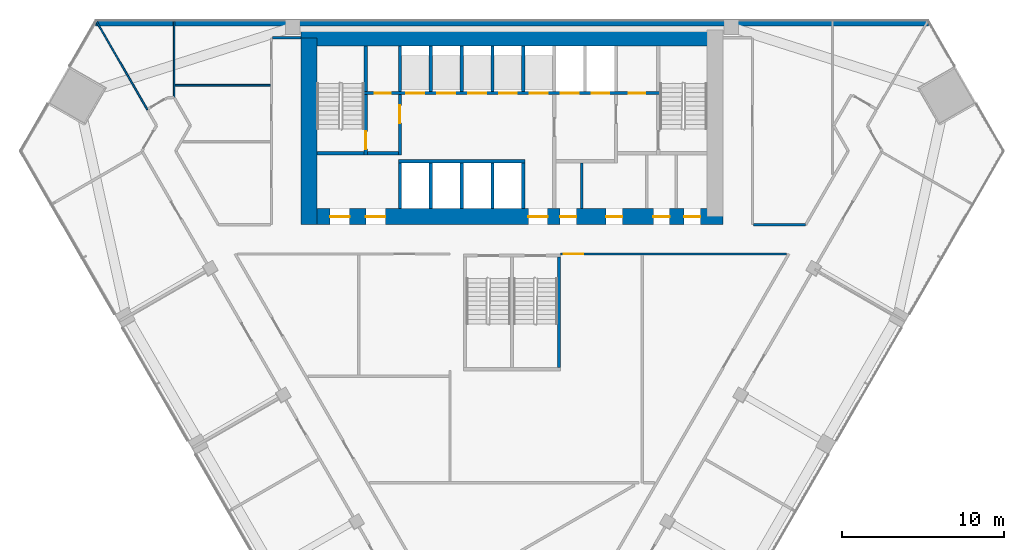
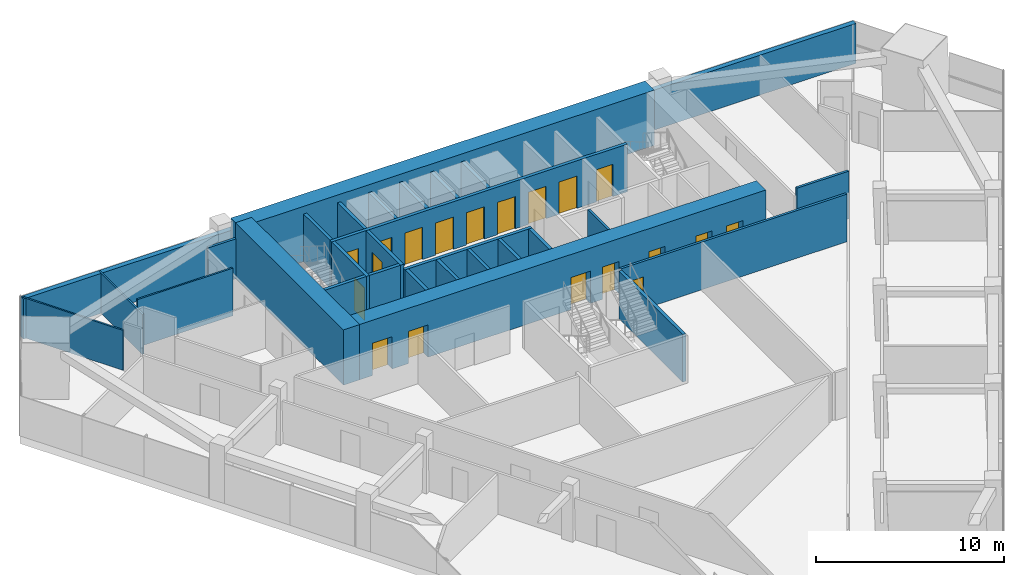
# One storey, part 10 of 13: 29 walls, 19 doors, 19 openings.
"""IFC4 building model written with IfcOpenShell, lengths in metres."""

from ifc_helpers import new_model, si_unit, direction, frame, frame_2d, origin, place, context, subcontext, project, spatial, rectangle, extrude, material, layer, layer_set, type_object, element, fill, save


model = new_model("IFC4")

# Units and contexts
model_context = context("Model", 3, precision=1e-05, world=origin(), true_north=direction((0.0, 1.0)))
body_context = subcontext(model_context, "Body", "Model", "MODEL_VIEW")
ifc_project = project(units=[si_unit("LENGTHUNIT", "METRE"), si_unit("AREAUNIT", "SQUARE_METRE"), si_unit("VOLUMEUNIT", "CUBIC_METRE"), si_unit("PLANEANGLEUNIT", "RADIAN"), si_unit("MASSUNIT", "GRAM", prefix="KILO")], contexts=[model_context])

# Site, building, storey
site_placement = place(None, origin())
site = spatial("IfcSite", under=ifc_project, at=site_placement, CompositionType="ELEMENT")
building_placement = place(site_placement, origin())
building = spatial("IfcBuilding", under=site, at=building_placement, Name="Altiplano Prism Tower", CompositionType="ELEMENT")
storey_placement = place(building_placement, frame((0.0, 0.0, 59.39990234375)))
storey = spatial("IfcBuildingStorey", under=building, at=storey_placement, Name="L14", CompositionType="ELEMENT", Elevation=59.39990234375)

# Wall, openings, doors
ifc_material_1 = material(Name="Concrete C70/85", Category="concrete")
ifc_layer_1 = layer(ifc_material_1, 1.0)
ifc_layer_set_1 = layer_set([ifc_layer_1], Name="Concrete C70/85")
wall_type_1 = type_object("IfcWallType", Name="Core wall 1000", PredefinedType="SHEAR", material=ifc_layer_set_1)
wall_1_placement = place(storey_placement, frame((72.5, 92.89990234375, 0.0), z_axis=(0.0, 0.0, 1.0), x_axis=(1.0, 0.0, 0.0)))
wall_1 = element("IfcWall", 1, at=wall_1_placement, inside=storey, type_object=wall_type_1, Name="Core wall S L14", PredefinedType="SHEAR", context=body_context, shape_type="SweptSolid", body=[
    extrude(rectangle(XDim=25.5, YDim=1.0, at=frame_2d((12.75, 0.0))), origin(), (0.0, 0.0, 1.0), 3.60009765625),
])
opening_1_placement = place(wall_1_placement, frame((1.300048828125, 0.0, 0.0)))
opening_1 = element("IfcOpeningElement", 2, at=opening_1_placement, cuts=wall_1, Name="Opening D2779", PredefinedType="OPENING", context=body_context, shape_type="SweptSolid", body=[
    extrude(rectangle(XDim=1.199951171875, YDim=2.10009765625, at=frame_2d((0.60009765625, 1.050048828125))), frame((0.0, 0.510498046875, 0.0), z_axis=(0.0, -1.0, 0.0), x_axis=(1.0, 0.0, 0.0)), (0.0, 0.0, 1.0), 1.02099609375),
])
opening_2_placement = place(wall_1_placement, frame((3.5, 0.0, 0.0)))
opening_2 = element("IfcOpeningElement", 3, at=opening_2_placement, cuts=wall_1, Name="Opening D2780", PredefinedType="OPENING", context=body_context, shape_type="SweptSolid", body=[
    extrude(rectangle(XDim=1.199951171875, YDim=2.10009765625, at=frame_2d((0.60009765625, 1.050048828125))), frame((0.0, 0.510498046875, 0.0), z_axis=(0.0, -1.0, 0.0), x_axis=(1.0, 0.0, 0.0)), (0.0, 0.0, 1.0), 1.02099609375),
])
opening_3_placement = place(wall_1_placement, frame((13.5, 0.0, 0.0)))
opening_3 = element("IfcOpeningElement", 4, at=opening_3_placement, cuts=wall_1, Name="Opening D2781", PredefinedType="OPENING", context=body_context, shape_type="SweptSolid", body=[
    extrude(rectangle(XDim=1.199951171875, YDim=2.10009765625, at=frame_2d((0.60009765625, 1.050048828125))), frame((0.0, 0.510498046875, 0.0), z_axis=(0.0, -1.0, 0.0), x_axis=(1.0, 0.0, 0.0)), (0.0, 0.0, 1.0), 1.02099609375),
])
opening_4_placement = place(wall_1_placement, frame((15.46240234375, 0.0, 0.0)))
opening_4 = element("IfcOpeningElement", 5, at=opening_4_placement, cuts=wall_1, Name="Opening D2784", PredefinedType="OPENING", context=body_context, shape_type="SweptSolid", body=[
    extrude(rectangle(XDim=1.0, YDim=2.10009765625, at=frame_2d((0.5, 1.050048828125))), frame((0.0, 0.510498046875, 0.0), z_axis=(0.0, -1.0, 0.0), x_axis=(1.0, 0.0, 0.0)), (0.0, 0.0, 1.0), 1.02099609375),
])
opening_5_placement = place(wall_1_placement, frame((18.300048828125, 0.0, 0.0)))
opening_5 = element("IfcOpeningElement", 6, at=opening_5_placement, cuts=wall_1, Name="Opening D2785", PredefinedType="OPENING", context=body_context, shape_type="SweptSolid", body=[
    extrude(rectangle(XDim=1.0, YDim=2.10009765625, at=frame_2d((0.5, 1.050048828125))), frame((0.0, 0.510498046875, 0.0), z_axis=(0.0, -1.0, 0.0), x_axis=(1.0, 0.0, 0.0)), (0.0, 0.0, 1.0), 1.02099609375),
])
opening_6_placement = place(wall_1_placement, frame((21.199951171875, 0.0, 0.0)))
opening_6 = element("IfcOpeningElement", 7, at=opening_6_placement, cuts=wall_1, Name="Opening D2786", PredefinedType="OPENING", context=body_context, shape_type="SweptSolid", body=[
    extrude(rectangle(XDim=1.0, YDim=2.10009765625, at=frame_2d((0.5, 1.050048828125))), frame((0.0, 0.510498046875, 0.0), z_axis=(0.0, -1.0, 0.0), x_axis=(1.0, 0.0, 0.0)), (0.0, 0.0, 1.0), 1.02099609375),
])
opening_7_placement = place(wall_1_placement, frame((23.08740234375, 0.0, 0.0)))
opening_7 = element("IfcOpeningElement", 8, at=opening_7_placement, cuts=wall_1, Name="Opening D2787", PredefinedType="OPENING", context=body_context, shape_type="SweptSolid", body=[
    extrude(rectangle(XDim=1.0, YDim=2.10009765625, at=frame_2d((0.5, 1.050048828125))), frame((0.0, 0.510498046875, 0.0), z_axis=(0.0, -1.0, 0.0), x_axis=(1.0, 0.0, 0.0)), (0.0, 0.0, 1.0), 1.02099609375),
])
ifc_material_2 = material(Name="Fire-rated steel door", Category="steel")
door_type_1 = type_object("IfcDoorType", Name="Core room door 1000 x 2100", OperationType="NOTDEFINED", PredefinedType="NOTDEFINED", material=ifc_material_2)
door_1_placement = place(opening_4_placement, origin())
door_1 = element("IfcDoor", 9, at=door_1_placement, inside=storey, type_object=door_type_1, Name="Core room door D2784", OperationType="SINGLE_SWING_RIGHT", OverallHeight=2.10009765625, OverallWidth=1.0, PredefinedType="NOTDEFINED", context=body_context, shape_type="SweptSolid", body=[
    extrude(rectangle(XDim=1.0, YDim=2.10009765625, at=frame_2d((0.5, 1.050048828125))), frame((0.0, 0.02490234375, 0.0), z_axis=(0.0, -1.0, 0.0), x_axis=(1.0, 0.0, 0.0)), (0.0, 0.0, 1.0), 0.050048828125),
])
fill(opening_4, door_1)
door_2_placement = place(opening_5_placement, origin())
door_2 = element("IfcDoor", 10, at=door_2_placement, inside=storey, type_object=door_type_1, Name="Core room door D2785", OperationType="SINGLE_SWING_LEFT", OverallHeight=2.10009765625, OverallWidth=1.0, PredefinedType="NOTDEFINED", context=body_context, shape_type="SweptSolid", body=[
    extrude(rectangle(XDim=1.0, YDim=2.10009765625, at=frame_2d((0.5, 1.050048828125))), frame((0.0, 0.02490234375, 0.0), z_axis=(0.0, -1.0, 0.0), x_axis=(1.0, 0.0, 0.0)), (0.0, 0.0, 1.0), 0.050048828125),
])
fill(opening_5, door_2)
door_3_placement = place(opening_6_placement, origin())
door_3 = element("IfcDoor", 11, at=door_3_placement, inside=storey, type_object=door_type_1, Name="Core room door D2786", OperationType="SINGLE_SWING_RIGHT", OverallHeight=2.10009765625, OverallWidth=1.0, PredefinedType="NOTDEFINED", context=body_context, shape_type="SweptSolid", body=[
    extrude(rectangle(XDim=1.0, YDim=2.10009765625, at=frame_2d((0.5, 1.050048828125))), frame((0.0, 0.02490234375, 0.0), z_axis=(0.0, -1.0, 0.0), x_axis=(1.0, 0.0, 0.0)), (0.0, 0.0, 1.0), 0.050048828125),
])
fill(opening_6, door_3)
door_4_placement = place(opening_7_placement, origin())
door_4 = element("IfcDoor", 12, at=door_4_placement, inside=storey, type_object=door_type_1, Name="Core room door D2787", OperationType="SINGLE_SWING_LEFT", OverallHeight=2.10009765625, OverallWidth=1.0, PredefinedType="NOTDEFINED", context=body_context, shape_type="SweptSolid", body=[
    extrude(rectangle(XDim=1.0, YDim=2.10009765625, at=frame_2d((0.5, 1.050048828125))), frame((0.0, 0.02490234375, 0.0), z_axis=(0.0, -1.0, 0.0), x_axis=(1.0, 0.0, 0.0)), (0.0, 0.0, 1.0), 0.050048828125),
])
fill(opening_7, door_4)
door_type_2 = type_object("IfcDoorType", Name="Lobby fire door 1200 x 2100", OperationType="NOTDEFINED", PredefinedType="NOTDEFINED", material=ifc_material_2)
door_5_placement = place(opening_1_placement, origin())
door_5 = element("IfcDoor", 13, at=door_5_placement, inside=storey, type_object=door_type_2, Name="Lobby fire door D2779", OperationType="SINGLE_SWING_RIGHT", OverallHeight=2.10009765625, OverallWidth=1.199951171875, PredefinedType="NOTDEFINED", context=body_context, shape_type="SweptSolid", body=[
    extrude(rectangle(XDim=1.199951171875, YDim=2.10009765625, at=frame_2d((0.60009765625, 1.050048828125))), frame((0.0, 0.02490234375, 0.0), z_axis=(0.0, -1.0, 0.0), x_axis=(1.0, 0.0, 0.0)), (0.0, 0.0, 1.0), 0.050048828125),
])
fill(opening_1, door_5)
door_6_placement = place(opening_2_placement, origin())
door_6 = element("IfcDoor", 14, at=door_6_placement, inside=storey, type_object=door_type_2, Name="Lobby fire door D2780", OperationType="SINGLE_SWING_LEFT", OverallHeight=2.10009765625, OverallWidth=1.199951171875, PredefinedType="NOTDEFINED", context=body_context, shape_type="SweptSolid", body=[
    extrude(rectangle(XDim=1.199951171875, YDim=2.10009765625, at=frame_2d((0.60009765625, 1.050048828125))), frame((0.0, 0.02490234375, 0.0), z_axis=(0.0, -1.0, 0.0), x_axis=(1.0, 0.0, 0.0)), (0.0, 0.0, 1.0), 0.050048828125),
])
fill(opening_2, door_6)
door_7_placement = place(opening_3_placement, origin())
door_7 = element("IfcDoor", 15, at=door_7_placement, inside=storey, type_object=door_type_2, Name="Lobby fire door D2781", OperationType="SINGLE_SWING_RIGHT", OverallHeight=2.10009765625, OverallWidth=1.199951171875, PredefinedType="NOTDEFINED", context=body_context, shape_type="SweptSolid", body=[
    extrude(rectangle(XDim=1.199951171875, YDim=2.10009765625, at=frame_2d((0.60009765625, 1.050048828125))), frame((0.0, 0.02490234375, 0.0), z_axis=(0.0, -1.0, 0.0), x_axis=(1.0, 0.0, 0.0)), (0.0, 0.0, 1.0), 0.050048828125),
])
fill(opening_3, door_7)

# Walls
wall_2_placement = place(storey_placement, frame((97.5, 103.89990234375, 0.0), z_axis=(0.0, 0.0, 1.0), x_axis=(-1.0, 0.0, 0.0)))
element("IfcWall", 16, at=wall_2_placement, inside=storey, type_object=wall_type_1, Name="Core wall N L14", PredefinedType="SHEAR", context=body_context, shape_type="SweptSolid", body=[
    extrude(rectangle(XDim=25.5, YDim=1.0, at=frame_2d((12.75, 0.0))), origin(), (0.0, 0.0, 1.0), 3.60009765625),
])
wall_3_placement = place(storey_placement, frame((72.5, 103.89990234375, 0.0), z_axis=(0.0, 0.0, 1.0), x_axis=(0.0, -1.0, 0.0)))
element("IfcWall", 17, at=wall_3_placement, inside=storey, type_object=wall_type_1, Name="Core wall W L14", PredefinedType="SHEAR", context=body_context, shape_type="SweptSolid", body=[
    extrude(rectangle(XDim=11.5, YDim=1.0, at=frame_2d((5.75, 0.0))), origin(), (0.0, 0.0, 1.0), 3.60009765625),
])
ifc_material_3 = material(Name="Plasterboard on steel stud", Category="steel")
ifc_layer_2 = layer(ifc_material_3, 0.10009765625)
ifc_layer_set_2 = layer_set([ifc_layer_2], Name="Plasterboard on steel stud")
wall_type_2 = type_object("IfcWallType", Name="Partition 100 wet", PredefinedType="PARTITIONING", material=ifc_layer_set_2)
wall_4_placement = place(storey_placement, frame((64.203857421875, 100.236572265625, 0.0), z_axis=(0.0, 0.0, 1.0), x_axis=(0.0, 1.0, 0.0)))
element("IfcWall", 18, at=wall_4_placement, inside=storey, type_object=wall_type_2, Name="Partition P03 L14 027", PredefinedType="PARTITIONING", context=body_context, shape_type="SweptSolid", body=[
    extrude(rectangle(XDim=4.663330078125, YDim=0.10009765625, at=frame_2d((2.33154296875, 0.0))), origin(), (0.0, 0.0, 1.0), 2.60009765625),
])
wall_5_placement = place(storey_placement, frame((59.431640625, 104.89990234375, 0.0), z_axis=(0.0, 0.0, 1.0), x_axis=(0.500005118993, -0.866022448312, 0.0)))
element("IfcWall", 19, at=wall_5_placement, inside=storey, type_object=wall_type_2, Name="Partition P03 L14 028", PredefinedType="PARTITIONING", context=body_context, shape_type="SweptSolid", body=[
    extrude(rectangle(XDim=6.25537109375, YDim=0.10009765625, at=frame_2d((3.127685546875, 0.0))), origin(), (0.0, 0.0, 1.0), 2.60009765625),
])
wall_6_placement = place(storey_placement, frame((70.125, 100.984130859375, 0.0), z_axis=(0.0, 0.0, 1.0), x_axis=(-1.0, 0.0, 0.0)))
element("IfcWall", 20, at=wall_6_placement, inside=storey, type_object=wall_type_2, Name="Partition P03 L14 030", PredefinedType="PARTITIONING", context=body_context, shape_type="SweptSolid", body=[
    extrude(rectangle(XDim=5.871337890625, YDim=0.10009765625, at=frame_2d((2.935546875, 0.0))), origin(), (0.0, 0.0, 1.0), 3.10009765625),
])
ifc_layer_3 = layer(ifc_material_3, 0.14990234375)
ifc_layer_set_3 = layer_set([ifc_layer_3], Name="Plasterboard on steel stud")
wall_type_3 = type_object("IfcWallType", Name="Partition 150 corridor", PredefinedType="PARTITIONING", material=ifc_layer_set_3)
wall_7_placement = place(storey_placement, frame((72.0, 103.89990234375, 0.0), z_axis=(0.0, 0.0, 1.0), x_axis=(-1.0, 0.0, 0.0)))
element("IfcWall", 21, at=wall_7_placement, inside=storey, type_object=wall_type_3, Name="Partition P06 L14 008", PredefinedType="PARTITIONING", context=body_context, shape_type="SweptSolid", body=[
    extrude(rectangle(XDim=1.72509765625, YDim=0.14990234375, at=frame_2d((0.862548828125, 0.0))), origin(), (0.0, 0.0, 1.0), 2.60009765625),
])

# Wall, opening, door
wall_8_placement = place(storey_placement, frame((88.0, 90.59912109375, 0.0), z_axis=(0.0, 0.0, 1.0), x_axis=(0.999999997534, 7.0228418e-05, 0.0)))
wall_8 = element("IfcWall", 22, at=wall_8_placement, inside=storey, type_object=wall_type_3, Name="Partition P06 L14 018", PredefinedType="PARTITIONING", context=body_context, shape_type="SweptSolid", body=[
    extrude(rectangle(XDim=13.905517578125, YDim=0.14990234375, at=frame_2d((6.95263671875, 0.0))), origin(), (0.0, 0.0, 1.0), 3.10009765625),
])
opening_8_placement = place(wall_8_placement, frame((0.199951171875, 0.0, 0.0)))
opening_8 = element("IfcOpeningElement", 23, at=opening_8_placement, cuts=wall_8, Name="Opening D0591", PredefinedType="OPENING", context=body_context, shape_type="SweptSolid", body=[
    extrude(rectangle(XDim=1.199951171875, YDim=2.10009765625, at=frame_2d((0.60009765625, 1.050048828125))), frame((0.0, 0.08544921875, 0.0), z_axis=(0.0, -1.0, 0.0), x_axis=(1.0, 0.0, 0.0)), (0.0, 0.0, 1.0), 0.1708984375),
])
ifc_material_4 = material(Name="Timber", Category="wood")
door_type_3 = type_object("IfcDoorType", Name="Shared room door 1200 x 2100", OperationType="NOTDEFINED", PredefinedType="NOTDEFINED", material=ifc_material_4)
door_8_placement = place(opening_8_placement, origin())
door_8 = element("IfcDoor", 24, at=door_8_placement, inside=storey, type_object=door_type_3, Name="Door D0591", OperationType="SINGLE_SWING_RIGHT", OverallHeight=2.10009765625, OverallWidth=1.199951171875, PredefinedType="NOTDEFINED", context=body_context, shape_type="SweptSolid", body=[
    extrude(rectangle(XDim=1.199951171875, YDim=2.10009765625, at=frame_2d((0.60009765625, 1.050048828125))), frame((0.0, 0.02490234375, 0.0), z_axis=(0.0, -1.0, 0.0), x_axis=(1.0, 0.0, 0.0)), (0.0, 0.0, 1.0), 0.050048828125),
])
fill(opening_8, door_8)

# Walls
wall_9_placement = place(storey_placement, frame((103.07470703125, 92.39990234375, 0.0), z_axis=(0.0, 0.0, 1.0), x_axis=(-1.0, 0.0, 0.0)))
element("IfcWall", 25, at=wall_9_placement, inside=storey, type_object=wall_type_3, Name="Partition P06 L14 020", PredefinedType="PARTITIONING", context=body_context, shape_type="SweptSolid", body=[
    extrude(rectangle(XDim=3.19970703125, YDim=0.14990234375, at=frame_2d((1.599853515625, 0.0))), origin(), (0.0, 0.0, 1.0), 3.10009765625),
])
ifc_material_5 = material(Name="Fire-rated gypsum board partition")
ifc_layer_4 = layer(ifc_material_5, 0.14990234375)
ifc_layer_set_4 = layer_set([ifc_layer_4], Name="Fire-rated gypsum board partition")
wall_type_4 = type_object("IfcWallType", Name="Room partition 150", PredefinedType="PARTITIONING", material=ifc_layer_set_4)
wall_10_placement = place(storey_placement, frame((89.300048828125, 93.39990234375, 0.0), z_axis=(0.0, 0.0, 1.0), x_axis=(0.0, 1.0, 0.0)))
element("IfcWall", 26, at=wall_10_placement, inside=storey, type_object=wall_type_4, Name="Room partition L14", PredefinedType="PARTITIONING", context=body_context, shape_type="SweptSolid", body=[
    extrude(rectangle(XDim=2.800048828125, YDim=0.14990234375, at=frame_2d((1.39990234375, 0.0))), origin(), (0.0, 0.0, 1.0), 3.10009765625),
])
ifc_material_6 = material(Name="Concrete C60/75", Category="concrete")
ifc_layer_5 = layer(ifc_material_6, 0.199951171875)
ifc_layer_set_5 = layer_set([ifc_layer_5], Name="Concrete C60/75")
wall_type_5 = type_object("IfcWallType", Name="Shaft wall 200", PredefinedType="SOLIDWALL", material=ifc_layer_set_5)
for number, where, z_axis, x_axis, name in (
    (27, (78.10009765625, 93.39990234375, 0.0), (0.0, 0.0, 1.0), (0.0, 1.0, 0.0), "Shaft wall L14"),
    (28, (80.0, 93.39990234375, 0.0), (0.0, 0.0, 1.0), (0.0, 1.0, 0.0), "Shaft wall L14"),
    (29, (81.89990234375, 93.39990234375, 0.0), (0.0, 0.0, 1.0), (0.0, 1.0, 0.0), "Shaft wall L14"),
    (30, (83.800048828125, 93.39990234375, 0.0), (0.0, 0.0, 1.0), (0.0, 1.0, 0.0), "Shaft wall L14"),
    (31, (85.699951171875, 93.39990234375, 0.0), (0.0, 0.0, 1.0), (0.0, 1.0, 0.0), "Shaft wall L14"),
):
    element("IfcWall", number, at=place(storey_placement, frame(where, z_axis=z_axis, x_axis=x_axis)), inside=storey, type_object=wall_type_5, Name=name, PredefinedType="SOLIDWALL", context=body_context, shape_type="SweptSolid", body=[
        extrude(rectangle(XDim=2.800048828125, YDim=0.199951171875, at=frame_2d((1.39990234375, 0.0))), origin(), (0.0, 0.0, 1.0), 3.10009765625),
    ])
wall_11_placement = place(storey_placement, frame((78.0, 96.300048828125, 0.0), z_axis=(0.0, 0.0, 1.0), x_axis=(1.0, 0.0, 0.0)))
element("IfcWall", 32, at=wall_11_placement, inside=storey, type_object=wall_type_5, Name="Shaft wall L14", PredefinedType="SOLIDWALL", context=body_context, shape_type="SweptSolid", body=[
    extrude(rectangle(XDim=7.800048828125, YDim=0.199951171875, at=frame_2d((3.89990234375, 0.0))), origin(), (0.0, 0.0, 1.0), 3.10009765625),
])
for number, where, z_axis, x_axis, name in (
    (33, (78.10009765625, 100.60009765625, 0.0), (0.0, 0.0, 1.0), (0.0, 1.0, 0.0), "Shaft wall L14"),
    (34, (80.0, 100.60009765625, 0.0), (0.0, 0.0, 1.0), (0.0, 1.0, 0.0), "Shaft wall L14"),
    (35, (81.89990234375, 100.60009765625, 0.0), (0.0, 0.0, 1.0), (0.0, 1.0, 0.0), "Shaft wall L14"),
    (36, (83.800048828125, 100.60009765625, 0.0), (0.0, 0.0, 1.0), (0.0, 1.0, 0.0), "Shaft wall L14"),
    (37, (85.699951171875, 100.60009765625, 0.0), (0.0, 0.0, 1.0), (0.0, 1.0, 0.0), "Shaft wall L14"),
):
    element("IfcWall", number, at=place(storey_placement, frame(where, z_axis=z_axis, x_axis=x_axis)), inside=storey, type_object=wall_type_5, Name=name, PredefinedType="SOLIDWALL", context=body_context, shape_type="SweptSolid", body=[
        extrude(rectangle(XDim=2.7998046875, YDim=0.199951171875, at=frame_2d((1.39990234375, 0.0))), origin(), (0.0, 0.0, 1.0), 3.10009765625),
    ])
ifc_layer_6 = layer(ifc_material_6, 0.199951171875)
ifc_layer_set_6 = layer_set([ifc_layer_6], Name="Concrete C60/75")
wall_type_6 = type_object("IfcWallType", Name="Stair wall 200", PredefinedType="SOLIDWALL", material=ifc_layer_set_6)
wall_12_placement = place(storey_placement, frame((73.0, 96.800048828125, 0.0), z_axis=(0.0, 0.0, 1.0), x_axis=(1.0, 0.0, 0.0)))
element("IfcWall", 38, at=wall_12_placement, inside=storey, type_object=wall_type_6, Name="Stair wall L14", PredefinedType="SOLIDWALL", context=body_context, shape_type="SweptSolid", body=[
    extrude(rectangle(XDim=2.89990234375, YDim=0.199951171875, at=frame_2d((1.449951171875, 0.0))), origin(), (0.0, 0.0, 1.0), 3.10009765625),
])

# Wall, opening, door
wall_13_placement = place(storey_placement, frame((76.0, 96.699951171875, 0.0), z_axis=(0.0, 0.0, 1.0), x_axis=(0.0, 1.0, 0.0)))
wall_13 = element("IfcWall", 39, at=wall_13_placement, inside=storey, type_object=wall_type_6, Name="Stair wall L14", PredefinedType="SOLIDWALL", context=body_context, shape_type="SweptSolid", body=[
    extrude(rectangle(XDim=3.699951171875, YDim=0.199951171875, at=frame_2d((1.85009765625, 0.0))), origin(), (0.0, 0.0, 1.0), 3.10009765625),
])
opening_9_placement = place(wall_13_placement, frame((0.35009765625, 0.0, 0.0)))
opening_9 = element("IfcOpeningElement", 40, at=opening_9_placement, cuts=wall_13, Name="Opening D2774", PredefinedType="OPENING", context=body_context, shape_type="SweptSolid", body=[
    extrude(rectangle(XDim=1.10009765625, YDim=2.10009765625, at=frame_2d((0.550048828125, 1.050048828125))), frame((0.0, 0.1103515625, 0.0), z_axis=(0.0, -1.0, 0.0), x_axis=(1.0, 0.0, 0.0)), (0.0, 0.0, 1.0), 0.220947265625),
])
door_type_4 = type_object("IfcDoorType", Name="Stair fire door 1100 x 2100", OperationType="NOTDEFINED", PredefinedType="NOTDEFINED", material=ifc_material_2)
door_9_placement = place(opening_9_placement, origin())
door_9 = element("IfcDoor", 41, at=door_9_placement, inside=storey, type_object=door_type_4, Name="Stair fire door D2774", OperationType="SINGLE_SWING_RIGHT", OverallHeight=2.10009765625, OverallWidth=1.10009765625, PredefinedType="NOTDEFINED", context=body_context, shape_type="SweptSolid", body=[
    extrude(rectangle(XDim=1.10009765625, YDim=2.10009765625, at=frame_2d((0.550048828125, 1.050048828125))), frame((0.0, 0.02490234375, 0.0), z_axis=(0.0, -1.0, 0.0), x_axis=(1.0, 0.0, 0.0)), (0.0, 0.0, 1.0), 0.050048828125),
])
fill(opening_9, door_9)

# Wall, openings, doors
wall_14_placement = place(storey_placement, frame((75.89990234375, 100.5, 0.0), z_axis=(0.0, 0.0, 1.0), x_axis=(1.0, 0.0, 0.0)))
wall_14 = element("IfcWall", 42, at=wall_14_placement, inside=storey, type_object=wall_type_6, Name="Stair wall L14", PredefinedType="SOLIDWALL", context=body_context, shape_type="SweptSolid", body=[
    extrude(rectangle(XDim=18.2001953125, YDim=0.199951171875, at=frame_2d((9.10009765625, 0.0))), origin(), (0.0, 0.0, 1.0), 3.10009765625),
])
opening_10_placement = place(wall_14_placement, frame((2.60009765625, 0.0, 0.0)))
opening_10 = element("IfcOpeningElement", 43, at=opening_10_placement, cuts=wall_14, Name="Opening LD-LL1-L14", PredefinedType="OPENING", context=body_context, shape_type="SweptSolid", body=[
    extrude(rectangle(XDim=1.10009765625, YDim=2.10009765625, at=frame_2d((0.550048828125, 1.050048828125))), frame((0.0, 0.1103515625, 0.0), z_axis=(0.0, -1.0, 0.0), x_axis=(1.0, 0.0, 0.0)), (0.0, 0.0, 1.0), 0.220947265625),
])
opening_11_placement = place(wall_14_placement, frame((4.5, 0.0, 0.0)))
opening_11 = element("IfcOpeningElement", 44, at=opening_11_placement, cuts=wall_14, Name="Opening LD-LL2-L14", PredefinedType="OPENING", context=body_context, shape_type="SweptSolid", body=[
    extrude(rectangle(XDim=1.10009765625, YDim=2.10009765625, at=frame_2d((0.550048828125, 1.050048828125))), frame((0.0, 0.1103515625, 0.0), z_axis=(0.0, -1.0, 0.0), x_axis=(1.0, 0.0, 0.0)), (0.0, 0.0, 1.0), 0.220947265625),
])
opening_12_placement = place(wall_14_placement, frame((6.39990234375, 0.0, 0.0)))
opening_12 = element("IfcOpeningElement", 45, at=opening_12_placement, cuts=wall_14, Name="Opening LD-LL3-L14", PredefinedType="OPENING", context=body_context, shape_type="SweptSolid", body=[
    extrude(rectangle(XDim=1.10009765625, YDim=2.10009765625, at=frame_2d((0.550048828125, 1.050048828125))), frame((0.0, 0.1103515625, 0.0), z_axis=(0.0, -1.0, 0.0), x_axis=(1.0, 0.0, 0.0)), (0.0, 0.0, 1.0), 0.220947265625),
])
opening_13_placement = place(wall_14_placement, frame((8.300048828125, 0.0, 0.0)))
opening_13 = element("IfcOpeningElement", 46, at=opening_13_placement, cuts=wall_14, Name="Opening LD-LL4-L14", PredefinedType="OPENING", context=body_context, shape_type="SweptSolid", body=[
    extrude(rectangle(XDim=1.10009765625, YDim=2.10009765625, at=frame_2d((0.550048828125, 1.050048828125))), frame((0.0, 0.1103515625, 0.0), z_axis=(0.0, -1.0, 0.0), x_axis=(1.0, 0.0, 0.0)), (0.0, 0.0, 1.0), 0.220947265625),
])
opening_14_placement = place(wall_14_placement, frame((10.199951171875, 0.0, 0.0)))
opening_14 = element("IfcOpeningElement", 47, at=opening_14_placement, cuts=wall_14, Name="Opening LD-LL5-L14", PredefinedType="OPENING", context=body_context, shape_type="SweptSolid", body=[
    extrude(rectangle(XDim=1.10009765625, YDim=2.10009765625, at=frame_2d((0.550048828125, 1.050048828125))), frame((0.0, 0.1103515625, 0.0), z_axis=(0.0, -1.0, 0.0), x_axis=(1.0, 0.0, 0.0)), (0.0, 0.0, 1.0), 0.220947265625),
])
opening_15_placement = place(wall_14_placement, frame((12.10009765625, 0.0, 0.0)))
opening_15 = element("IfcOpeningElement", 48, at=opening_15_placement, cuts=wall_14, Name="Opening LD-FF1-L14", PredefinedType="OPENING", context=body_context, shape_type="SweptSolid", body=[
    extrude(rectangle(XDim=1.10009765625, YDim=2.10009765625, at=frame_2d((0.550048828125, 1.050048828125))), frame((0.0, 0.1103515625, 0.0), z_axis=(0.0, -1.0, 0.0), x_axis=(1.0, 0.0, 0.0)), (0.0, 0.0, 1.0), 0.220947265625),
])
opening_16_placement = place(wall_14_placement, frame((14.0, 0.0, 0.0)))
opening_16 = element("IfcOpeningElement", 49, at=opening_16_placement, cuts=wall_14, Name="Opening LD-FF2-L14", PredefinedType="OPENING", context=body_context, shape_type="SweptSolid", body=[
    extrude(rectangle(XDim=1.10009765625, YDim=2.10009765625, at=frame_2d((0.550048828125, 1.050048828125))), frame((0.0, 0.1103515625, 0.0), z_axis=(0.0, -1.0, 0.0), x_axis=(1.0, 0.0, 0.0)), (0.0, 0.0, 1.0), 0.220947265625),
])
opening_17_placement = place(wall_14_placement, frame((0.64990234375, 0.0, 0.0)))
opening_17 = element("IfcOpeningElement", 50, at=opening_17_placement, cuts=wall_14, Name="Opening D2782", PredefinedType="OPENING", context=body_context, shape_type="SweptSolid", body=[
    extrude(rectangle(XDim=1.0, YDim=2.10009765625, at=frame_2d((0.5, 1.050048828125))), frame((0.0, 0.1103515625, 0.0), z_axis=(0.0, -1.0, 0.0), x_axis=(1.0, 0.0, 0.0)), (0.0, 0.0, 1.0), 0.220947265625),
])
opening_18_placement = place(wall_14_placement, frame((16.300048828125, 0.0, 0.0)))
opening_18 = element("IfcOpeningElement", 51, at=opening_18_placement, cuts=wall_14, Name="Opening D2783", PredefinedType="OPENING", context=body_context, shape_type="SweptSolid", body=[
    extrude(rectangle(XDim=1.0, YDim=2.10009765625, at=frame_2d((0.5, 1.050048828125))), frame((0.0, 0.1103515625, 0.0), z_axis=(0.0, -1.0, 0.0), x_axis=(1.0, 0.0, 0.0)), (0.0, 0.0, 1.0), 0.220947265625),
])
door_10_placement = place(opening_17_placement, origin())
door_10 = element("IfcDoor", 52, at=door_10_placement, inside=storey, type_object=door_type_1, Name="Core room door D2782", OperationType="SINGLE_SWING_LEFT", OverallHeight=2.10009765625, OverallWidth=1.0, PredefinedType="NOTDEFINED", context=body_context, shape_type="SweptSolid", body=[
    extrude(rectangle(XDim=1.0, YDim=2.10009765625, at=frame_2d((0.5, 1.050048828125))), frame((0.0, 0.02490234375, 0.0), z_axis=(0.0, -1.0, 0.0), x_axis=(1.0, 0.0, 0.0)), (0.0, 0.0, 1.0), 0.050048828125),
])
fill(opening_17, door_10)
door_11_placement = place(opening_18_placement, origin())
door_11 = element("IfcDoor", 53, at=door_11_placement, inside=storey, type_object=door_type_1, Name="Core room door D2783", OperationType="SINGLE_SWING_RIGHT", OverallHeight=2.10009765625, OverallWidth=1.0, PredefinedType="NOTDEFINED", context=body_context, shape_type="SweptSolid", body=[
    extrude(rectangle(XDim=1.0, YDim=2.10009765625, at=frame_2d((0.5, 1.050048828125))), frame((0.0, 0.02490234375, 0.0), z_axis=(0.0, -1.0, 0.0), x_axis=(1.0, 0.0, 0.0)), (0.0, 0.0, 1.0), 0.050048828125),
])
fill(opening_18, door_11)
ifc_material_7 = material(Name="Stainless steel landing door", Category="steel")
door_type_5 = type_object("IfcDoorType", Name="Landing door 1100 x 2100", OperationType="NOTDEFINED", PredefinedType="NOTDEFINED", material=ifc_material_7)
door_12_placement = place(opening_10_placement, origin())
door_12 = element("IfcDoor", 54, at=door_12_placement, inside=storey, type_object=door_type_5, Name="Landing doors LL1", OperationType="SLIDING_TO_RIGHT", OverallHeight=2.10009765625, OverallWidth=1.10009765625, PredefinedType="NOTDEFINED", context=body_context, shape_type="SweptSolid", body=[
    extrude(rectangle(XDim=1.10009765625, YDim=2.10009765625, at=frame_2d((0.550048828125, 1.050048828125))), frame((0.0, 0.02490234375, 0.0), z_axis=(0.0, -1.0, 0.0), x_axis=(1.0, 0.0, 0.0)), (0.0, 0.0, 1.0), 0.050048828125),
])
fill(opening_10, door_12)
door_13_placement = place(opening_11_placement, origin())
door_13 = element("IfcDoor", 55, at=door_13_placement, inside=storey, type_object=door_type_5, Name="Landing doors LL2", OperationType="SLIDING_TO_LEFT", OverallHeight=2.10009765625, OverallWidth=1.10009765625, PredefinedType="NOTDEFINED", context=body_context, shape_type="SweptSolid", body=[
    extrude(rectangle(XDim=1.10009765625, YDim=2.10009765625, at=frame_2d((0.550048828125, 1.050048828125))), frame((0.0, 0.02490234375, 0.0), z_axis=(0.0, -1.0, 0.0), x_axis=(1.0, 0.0, 0.0)), (0.0, 0.0, 1.0), 0.050048828125),
])
fill(opening_11, door_13)
door_14_placement = place(opening_12_placement, origin())
door_14 = element("IfcDoor", 56, at=door_14_placement, inside=storey, type_object=door_type_5, Name="Landing doors LL3", OperationType="SLIDING_TO_RIGHT", OverallHeight=2.10009765625, OverallWidth=1.10009765625, PredefinedType="NOTDEFINED", context=body_context, shape_type="SweptSolid", body=[
    extrude(rectangle(XDim=1.10009765625, YDim=2.10009765625, at=frame_2d((0.550048828125, 1.050048828125))), frame((0.0, 0.02490234375, 0.0), z_axis=(0.0, -1.0, 0.0), x_axis=(1.0, 0.0, 0.0)), (0.0, 0.0, 1.0), 0.050048828125),
])
fill(opening_12, door_14)
door_15_placement = place(opening_13_placement, origin())
door_15 = element("IfcDoor", 57, at=door_15_placement, inside=storey, type_object=door_type_5, Name="Landing doors LL4", OperationType="SLIDING_TO_LEFT", OverallHeight=2.10009765625, OverallWidth=1.10009765625, PredefinedType="NOTDEFINED", context=body_context, shape_type="SweptSolid", body=[
    extrude(rectangle(XDim=1.10009765625, YDim=2.10009765625, at=frame_2d((0.550048828125, 1.050048828125))), frame((0.0, 0.02490234375, 0.0), z_axis=(0.0, -1.0, 0.0), x_axis=(1.0, 0.0, 0.0)), (0.0, 0.0, 1.0), 0.050048828125),
])
fill(opening_13, door_15)
door_16_placement = place(opening_14_placement, origin())
door_16 = element("IfcDoor", 58, at=door_16_placement, inside=storey, type_object=door_type_5, Name="Landing doors LL5", OperationType="SLIDING_TO_RIGHT", OverallHeight=2.10009765625, OverallWidth=1.10009765625, PredefinedType="NOTDEFINED", context=body_context, shape_type="SweptSolid", body=[
    extrude(rectangle(XDim=1.10009765625, YDim=2.10009765625, at=frame_2d((0.550048828125, 1.050048828125))), frame((0.0, 0.02490234375, 0.0), z_axis=(0.0, -1.0, 0.0), x_axis=(1.0, 0.0, 0.0)), (0.0, 0.0, 1.0), 0.050048828125),
])
fill(opening_14, door_16)
door_17_placement = place(opening_15_placement, origin())
door_17 = element("IfcDoor", 59, at=door_17_placement, inside=storey, type_object=door_type_5, Name="Landing doors FF1", OperationType="SLIDING_TO_RIGHT", OverallHeight=2.10009765625, OverallWidth=1.10009765625, PredefinedType="NOTDEFINED", context=body_context, shape_type="SweptSolid", body=[
    extrude(rectangle(XDim=1.10009765625, YDim=2.10009765625, at=frame_2d((0.550048828125, 1.050048828125))), frame((0.0, 0.02490234375, 0.0), z_axis=(0.0, -1.0, 0.0), x_axis=(1.0, 0.0, 0.0)), (0.0, 0.0, 1.0), 0.050048828125),
])
fill(opening_15, door_17)
door_18_placement = place(opening_16_placement, origin())
door_18 = element("IfcDoor", 60, at=door_18_placement, inside=storey, type_object=door_type_5, Name="Landing doors FF2", OperationType="SLIDING_TO_LEFT", OverallHeight=2.10009765625, OverallWidth=1.10009765625, PredefinedType="NOTDEFINED", context=body_context, shape_type="SweptSolid", body=[
    extrude(rectangle(XDim=1.10009765625, YDim=2.10009765625, at=frame_2d((0.550048828125, 1.050048828125))), frame((0.0, 0.02490234375, 0.0), z_axis=(0.0, -1.0, 0.0), x_axis=(1.0, 0.0, 0.0)), (0.0, 0.0, 1.0), 0.050048828125),
])
fill(opening_16, door_18)

# Walls
wall_15_placement = place(storey_placement, frame((76.0, 100.60009765625, 0.0), z_axis=(0.0, 0.0, 1.0), x_axis=(0.0, 1.0, 0.0)))
element("IfcWall", 61, at=wall_15_placement, inside=storey, type_object=wall_type_6, Name="Stair wall L14", PredefinedType="SOLIDWALL", context=body_context, shape_type="SweptSolid", body=[
    extrude(rectangle(XDim=2.7998046875, YDim=0.199951171875, at=frame_2d((1.39990234375, 0.0))), origin(), (0.0, 0.0, 1.0), 3.10009765625),
])
wall_16_placement = place(storey_placement, frame((87.89990234375, 83.60009765625, 0.0), z_axis=(0.0, 0.0, 1.0), x_axis=(0.0, 1.0, 0.0)))
element("IfcWall", 62, at=wall_16_placement, inside=storey, type_object=wall_type_6, Name="Stair 3 wall east L14", PredefinedType="SOLIDWALL", context=body_context, shape_type="SweptSolid", body=[
    extrude(rectangle(XDim=6.7998046875, YDim=0.199951171875, at=frame_2d((3.39990234375, 0.0))), origin(), (0.0, 0.0, 1.0), 3.10009765625),
])
ifc_material_8 = material(Name="Concrete C40", Category="concrete")
ifc_layer_7 = layer(ifc_material_8, 0.300048828125)
ifc_layer_set_7 = layer_set([ifc_layer_7], Name="Concrete C40")
wall_type_7 = type_object("IfcWallType", Name="Stone-clad external wall 300", PredefinedType="SOLIDWALL", material=ifc_layer_set_7)
wall_17_placement = place(storey_placement, frame((59.3740234375, 104.7900390625, 0.0), z_axis=(0.0, 0.0, 1.0), x_axis=(1.0, 0.0, 0.0)))
element("IfcWall", 63, at=wall_17_placement, inside=storey, type_object=wall_type_7, Name="External wall north face L14", PredefinedType="SOLIDWALL", context=body_context, shape_type="SweptSolid", body=[
    extrude(rectangle(XDim=51.251953125, YDim=0.300048828125, at=frame_2d((25.6259765625, 0.0))), origin(), (0.0, 0.0, 1.0), 2.60009765625),
])
ifc_layer_8 = layer(ifc_material_6, 0.199951171875)
ifc_layer_set_8 = layer_set([ifc_layer_8], Name="Concrete C60/75")
wall_type_8 = type_object("IfcWallType", Name="Vestibule wall 200", PredefinedType="PARTITIONING", material=ifc_layer_set_8)
wall_18_placement = place(storey_placement, frame((76.10009765625, 96.800048828125, 0.0), z_axis=(0.0, 0.0, 1.0), x_axis=(1.0, 0.0, 0.0)))
element("IfcWall", 64, at=wall_18_placement, inside=storey, type_object=wall_type_8, Name="Vestibule wall L14", PredefinedType="PARTITIONING", context=body_context, shape_type="SweptSolid", body=[
    extrude(rectangle(XDim=1.89990234375, YDim=0.199951171875, at=frame_2d((0.949951171875, 0.0))), origin(), (0.0, 0.0, 1.0), 3.10009765625),
])

# Wall, opening, door
wall_19_placement = place(storey_placement, frame((78.10009765625, 96.699951171875, 0.0), z_axis=(0.0, 0.0, 1.0), x_axis=(0.0, 1.0, 0.0)))
wall_19 = element("IfcWall", 65, at=wall_19_placement, inside=storey, type_object=wall_type_8, Name="Vestibule wall L14", PredefinedType="PARTITIONING", context=body_context, shape_type="SweptSolid", body=[
    extrude(rectangle(XDim=3.699951171875, YDim=0.199951171875, at=frame_2d((1.85009765625, 0.0))), origin(), (0.0, 0.0, 1.0), 3.10009765625),
])
opening_19_placement = place(wall_19_placement, frame((1.949951171875, 0.0, 0.0)))
opening_19 = element("IfcOpeningElement", 66, at=opening_19_placement, cuts=wall_19, Name="Opening D2776", PredefinedType="OPENING", context=body_context, shape_type="SweptSolid", body=[
    extrude(rectangle(XDim=1.10009765625, YDim=2.10009765625, at=frame_2d((0.550048828125, 1.050048828125))), frame((0.0, 0.1103515625, 0.0), z_axis=(0.0, -1.0, 0.0), x_axis=(1.0, 0.0, 0.0)), (0.0, 0.0, 1.0), 0.220947265625),
])
door_type_6 = type_object("IfcDoorType", Name="Vestibule fire door 1100 x 2100", OperationType="NOTDEFINED", PredefinedType="NOTDEFINED", material=ifc_material_2)
door_19_placement = place(opening_19_placement, origin())
door_19 = element("IfcDoor", 67, at=door_19_placement, inside=storey, type_object=door_type_6, Name="Vestibule fire door D2776", OperationType="SINGLE_SWING_LEFT", OverallHeight=2.10009765625, OverallWidth=1.10009765625, PredefinedType="NOTDEFINED", context=body_context, shape_type="SweptSolid", body=[
    extrude(rectangle(XDim=1.10009765625, YDim=2.10009765625, at=frame_2d((0.550048828125, 1.050048828125))), frame((0.0, 0.02490234375, 0.0), z_axis=(0.0, -1.0, 0.0), x_axis=(1.0, 0.0, 0.0)), (0.0, 0.0, 1.0), 0.050048828125),
])
fill(opening_19, door_19)

save(model, "model.ifc")
